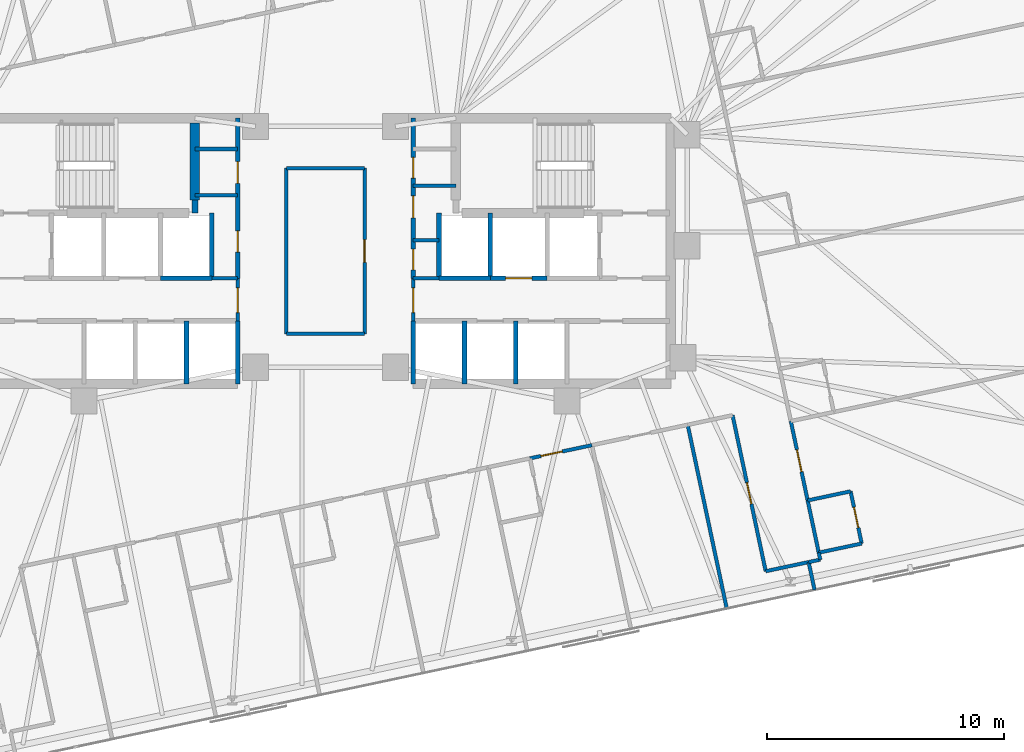
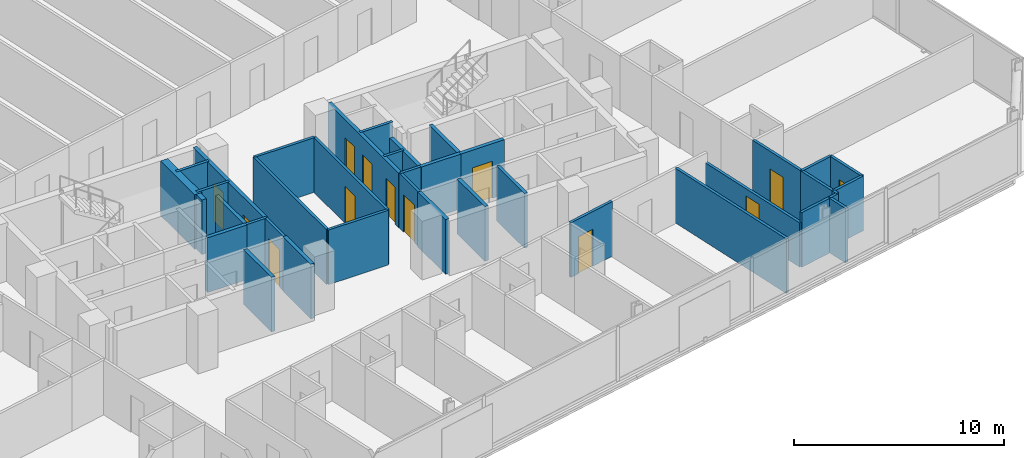
# One storey, part 16 of 21: 39 walls, 13 doors, 13 openings.
"""IFC4 building model written with IfcOpenShell, lengths in metres."""

from ifc_helpers import new_model, si_unit, direction, frame, frame_2d, origin, place, context, subcontext, project, spatial, rectangle, extrude, material, layer, layer_set, type_object, element, fill, save


model = new_model("IFC4")

# Units and contexts
model_context = context("Model", 3, precision=1e-05, world=origin(), true_north=direction((0.0, 1.0)))
body_context = subcontext(model_context, "Body", "Model", "MODEL_VIEW")
ifc_project = project(units=[si_unit("LENGTHUNIT", "METRE"), si_unit("AREAUNIT", "SQUARE_METRE"), si_unit("VOLUMEUNIT", "CUBIC_METRE"), si_unit("PLANEANGLEUNIT", "RADIAN"), si_unit("MASSUNIT", "GRAM", prefix="KILO")], contexts=[model_context])

# Site, building, storey
site_placement = place(None, origin())
site = spatial("IfcSite", under=ifc_project, at=site_placement, CompositionType="ELEMENT")
building_placement = place(site_placement, origin())
building = spatial("IfcBuilding", under=site, at=building_placement, Name="Menara Jurai Vektor", CompositionType="ELEMENT")
storey_placement = place(building_placement, frame((0.0, 0.0, 188.800048828125)))
storey = spatial("IfcBuildingStorey", under=building, at=storey_placement, Name="L49", CompositionType="ELEMENT", Elevation=188.800048828125)

# Wall
ifc_material_1 = material(Name="Concrete C40/50", Category="concrete")
ifc_layer_1 = layer(ifc_material_1, 0.25)
ifc_layer_set_1 = layer_set([ifc_layer_1], Name="Concrete C40/50")
wall_type_1 = type_object("IfcWallType", Name="INT-WALL-CORE-250", PredefinedType="STANDARD", material=ifc_layer_set_1)
wall_1_placement = place(storey_placement, frame((-5.5, 1.60009765625, 0.0), z_axis=(0.0, 0.0, 1.0), x_axis=(0.0, 1.0, 0.0)))
element("IfcWall", 1, at=wall_1_placement, inside=storey, type_object=wall_type_1, Name="Interior Wall IW-250 L49", PredefinedType="STANDARD", context=body_context, shape_type="SweptSolid", body=[
    extrude(rectangle(XDim=0.5498046875, YDim=0.25, at=frame_2d((0.27490234375, 0.0))), origin(), (0.0, 0.0, 1.0), 3.175048828125),
])

# Wall, opening, door
ifc_material_2 = material(Name="Gypsum Fireboard Partition", Category="gypsum")
ifc_layer_2 = layer(ifc_material_2, 0.14990234375)
ifc_layer_set_2 = layer_set([ifc_layer_2], Name="Gypsum Fireboard Partition")
wall_type_2 = type_object("IfcWallType", Name="INT-WALL-CORR-150", PredefinedType="PARTITIONING", material=ifc_layer_set_2)
wall_2_placement = place(storey_placement, frame((-3.699951171875, -2.949951171875, 0.0), z_axis=(0.0, 0.0, 1.0), x_axis=(0.0, 1.0, 0.0)))
wall_2 = element("IfcWall", 2, at=wall_2_placement, inside=storey, type_object=wall_type_2, Name="Interior Wall IW-150 L49", PredefinedType="PARTITIONING", context=body_context, shape_type="SweptSolid", body=[
    extrude(rectangle(XDim=1.800048828125, YDim=0.14990234375, at=frame_2d((0.89990234375, 0.0))), origin(), (0.0, 0.0, 1.0), 3.175048828125),
])
opening_1_placement = place(wall_2_placement, frame((0.35009765625, 0.0, 0.0)))
opening_1 = element("IfcOpeningElement", 3, at=opening_1_placement, cuts=wall_2, Name="Opening D-L49-LLW", PredefinedType="OPENING", context=body_context, shape_type="SweptSolid", body=[
    extrude(rectangle(XDim=1.050048828125, YDim=2.179931640625, at=frame_2d((0.52490234375, 1.08984375))), frame((0.0, 0.0849609375, 0.0), z_axis=(0.0, -1.0, 0.0), x_axis=(1.0, 0.0, 0.0)), (0.0, 0.0, 1.0), 0.169921875),
])
ifc_material_3 = material(Name="Fire-Rated Timber Door", Category="wood")
door_type_1 = type_object("IfcDoorType", Name="DR-LOBBY-1050", OperationType="NOTDEFINED", PredefinedType="DOOR", material=ifc_material_3)
door_1_placement = place(opening_1_placement, origin())
door_1 = element("IfcDoor", 4, at=door_1_placement, inside=storey, type_object=door_type_1, Name="Lift Lobby Corridor Door W L49", OperationType="SINGLE_SWING_LEFT", OverallHeight=2.179931640625, OverallWidth=1.050048828125, PredefinedType="DOOR", context=body_context, shape_type="SweptSolid", body=[
    extrude(rectangle(XDim=1.050048828125, YDim=2.179931640625, at=frame_2d((0.52490234375, 1.08984375))), frame((0.0, 0.02490234375, 0.0), z_axis=(0.0, -1.0, 0.0), x_axis=(1.0, 0.0, 0.0)), (0.0, 0.0, 1.0), 0.050048828125),
])
fill(opening_1, door_1)

# Wall
wall_3_placement = place(storey_placement, frame((-4.7900390625, -1.14990234375, 0.0), z_axis=(0.0, 0.0, 1.0), x_axis=(1.0, 0.0, 0.0)))
element("IfcWall", 5, at=wall_3_placement, inside=storey, type_object=wall_type_2, Name="Interior Wall IW-150 L49", PredefinedType="PARTITIONING", context=body_context, shape_type="SweptSolid", body=[
    extrude(rectangle(XDim=1.090087890625, YDim=0.14990234375, at=frame_2d((0.544921875, 0.0))), origin(), (0.0, 0.0, 1.0), 3.175048828125),
])

# Wall, opening, door
wall_4_placement = place(storey_placement, frame((3.699951171875, -2.949951171875, 0.0), z_axis=(0.0, 0.0, 1.0), x_axis=(0.0, 1.0, 0.0)))
wall_4 = element("IfcWall", 6, at=wall_4_placement, inside=storey, type_object=wall_type_2, Name="Interior Wall IW-150 L49", PredefinedType="PARTITIONING", context=body_context, shape_type="SweptSolid", body=[
    extrude(rectangle(XDim=1.800048828125, YDim=0.14990234375, at=frame_2d((0.89990234375, 0.0))), origin(), (0.0, 0.0, 1.0), 3.175048828125),
])
opening_2_placement = place(wall_4_placement, frame((0.35009765625, 0.0, 0.0)))
opening_2 = element("IfcOpeningElement", 7, at=opening_2_placement, cuts=wall_4, Name="Opening D-L49-LLE", PredefinedType="OPENING", context=body_context, shape_type="SweptSolid", body=[
    extrude(rectangle(XDim=1.050048828125, YDim=2.179931640625, at=frame_2d((0.52490234375, 1.08984375))), frame((0.0, 0.0849609375, 0.0), z_axis=(0.0, -1.0, 0.0), x_axis=(1.0, 0.0, 0.0)), (0.0, 0.0, 1.0), 0.169921875),
])
door_2_placement = place(opening_2_placement, frame((1.050048828125, 0.0, 0.0), z_axis=(0.0, 0.0, 1.0), x_axis=(-1.0, 0.0, 0.0)))
door_2 = element("IfcDoor", 8, at=door_2_placement, inside=storey, type_object=door_type_1, Name="Lift Lobby Corridor Door E L49", OperationType="SINGLE_SWING_RIGHT", OverallHeight=2.179931640625, OverallWidth=1.050048828125, PredefinedType="DOOR", context=body_context, shape_type="SweptSolid", body=[
    extrude(rectangle(XDim=1.050048828125, YDim=2.179931640625, at=frame_2d((0.52490234375, 1.08984375))), frame((0.0, 0.02490234375, 0.0), z_axis=(0.0, -1.0, 0.0), x_axis=(1.0, 0.0, 0.0)), (0.0, 0.0, 1.0), 0.050048828125),
])
fill(opening_2, door_2)

# Walls
wall_5_placement = place(storey_placement, frame((3.699951171875, -1.14990234375, 0.0), z_axis=(0.0, 0.0, 1.0), x_axis=(1.0, 0.0, 0.0)))
element("IfcWall", 9, at=wall_5_placement, inside=storey, type_object=wall_type_2, Name="Interior Wall IW-150 L49", PredefinedType="PARTITIONING", context=body_context, shape_type="SweptSolid", body=[
    extrude(rectangle(XDim=1.090087890625, YDim=0.14990234375, at=frame_2d((0.544921875, 0.0))), origin(), (0.0, 0.0, 1.0), 3.175048828125),
])
for number, where, z_axis, x_axis, name in (
    (10, (-5.5, 4.300048828125, 0.0), (0.0, 0.0, 1.0), (1.0, 0.0, 0.0), "Interior Wall IW-150 L49"),
    (11, (-5.5, 2.35009765625, 0.0), (0.0, 0.0, 1.0), (1.0, 0.0, 0.0), "Interior Wall IW-150 L49"),
):
    element("IfcWall", number, at=place(storey_placement, frame(where, z_axis=z_axis, x_axis=x_axis)), inside=storey, type_object=wall_type_2, Name=name, PredefinedType="PARTITIONING", context=body_context, shape_type="SweptSolid", body=[
        extrude(rectangle(XDim=1.800048828125, YDim=0.14990234375, at=frame_2d((0.89990234375, 0.0))), origin(), (0.0, 0.0, 1.0), 3.175048828125),
    ])
wall_6_placement = place(storey_placement, frame((3.699951171875, 0.449951171875, 0.0), z_axis=(0.0, 0.0, 1.0), x_axis=(1.0, 0.0, 0.0)))
element("IfcWall", 12, at=wall_6_placement, inside=storey, type_object=wall_type_2, Name="Interior Wall IW-150 L49", PredefinedType="PARTITIONING", context=body_context, shape_type="SweptSolid", body=[
    extrude(rectangle(XDim=1.090087890625, YDim=0.14990234375, at=frame_2d((0.544921875, 0.0))), origin(), (0.0, 0.0, 1.0), 3.175048828125),
])
wall_7_placement = place(storey_placement, frame((3.699951171875, 2.75, 0.0), z_axis=(0.0, 0.0, 1.0), x_axis=(1.0, 0.0, 0.0)))
element("IfcWall", 13, at=wall_7_placement, inside=storey, type_object=wall_type_2, Name="Interior Wall IW-150 L49", PredefinedType="PARTITIONING", context=body_context, shape_type="SweptSolid", body=[
    extrude(rectangle(XDim=1.800048828125, YDim=0.14990234375, at=frame_2d((0.89990234375, 0.0))), origin(), (0.0, 0.0, 1.0), 3.175048828125),
])
wall_8_placement = place(storey_placement, frame((-1.64990234375, -3.489501953125, 0.0), z_axis=(0.0, 0.0, 1.0), x_axis=(-3.4979712e-05, 0.999999999388, 0.0)))
element("IfcWall", 14, at=wall_8_placement, inside=storey, type_object=wall_type_2, Name="Interior Wall IW-150 L49", PredefinedType="PARTITIONING", context=body_context, shape_type="SweptSolid", body=[
    extrude(rectangle(XDim=6.9794921875, YDim=0.14990234375, at=frame_2d((3.48974609375, 0.0))), origin(), (0.0, 0.0, 1.0), 3.175048828125),
])
wall_9_placement = place(storey_placement, frame((-1.64990234375, -3.489501953125, 0.0), z_axis=(0.0, 0.0, 1.0), x_axis=(0.999999975374, -0.000221926315, 0.0)))
element("IfcWall", 15, at=wall_9_placement, inside=storey, type_object=wall_type_2, Name="Interior Wall IW-150 L49", PredefinedType="PARTITIONING", context=body_context, shape_type="SweptSolid", body=[
    extrude(rectangle(XDim=3.30029296875, YDim=0.14990234375, at=frame_2d((1.650146484375, 0.0))), origin(), (0.0, 0.0, 1.0), 3.175048828125),
])
wall_10_placement = place(storey_placement, frame((-1.650146484375, 3.489990234375, 0.0), z_axis=(0.0, 0.0, 1.0), x_axis=(1.0, 0.0, 0.0)))
element("IfcWall", 16, at=wall_10_placement, inside=storey, type_object=wall_type_2, Name="Interior Wall IW-150 L49", PredefinedType="PARTITIONING", context=body_context, shape_type="SweptSolid", body=[
    extrude(rectangle(XDim=3.300048828125, YDim=0.14990234375, at=frame_2d((1.64990234375, 0.0))), origin(), (0.0, 0.0, 1.0), 3.175048828125),
])

# Wall, opening, door
wall_11_placement = place(storey_placement, frame((1.650390625, -3.490234375, 0.0), z_axis=(0.0, 0.0, 1.0), x_axis=(-6.9952083e-05, 0.999999997553, 0.0)))
wall_11 = element("IfcWall", 17, at=wall_11_placement, inside=storey, type_object=wall_type_2, Name="Interior Wall IW-150 L49", PredefinedType="PARTITIONING", context=body_context, shape_type="SweptSolid", body=[
    extrude(rectangle(XDim=6.980224609375, YDim=0.14990234375, at=frame_2d((3.490234375, 0.0))), origin(), (0.0, 0.0, 1.0), 3.175048828125),
])
opening_3_placement = place(wall_11_placement, frame((3.01513671875, 0.0, 0.0)))
opening_3 = element("IfcOpeningElement", 18, at=opening_3_placement, cuts=wall_11, Name="Opening D49-08", PredefinedType="OPENING", context=body_context, shape_type="SweptSolid", body=[
    extrude(rectangle(XDim=0.949951171875, YDim=2.14990234375, at=frame_2d((0.47509765625, 1.074951171875))), frame((0.0, 0.0849609375, 0.0), z_axis=(0.0, -1.0, 0.0), x_axis=(1.0, 0.0, 0.0)), (0.0, 0.0, 1.0), 0.169921875),
])
ifc_material_4 = material(Name="Solid Core Timber Fire Door", Category="wood")
door_type_2 = type_object("IfcDoorType", Name="DR-ENTRY-950", OperationType="NOTDEFINED", PredefinedType="DOOR", material=ifc_material_4)
door_3_placement = place(opening_3_placement, origin())
door_3 = element("IfcDoor", 19, at=door_3_placement, inside=storey, type_object=door_type_2, Name="Interior Door D49-08", OperationType="SINGLE_SWING_LEFT", OverallHeight=2.14990234375, OverallWidth=0.949951171875, PredefinedType="DOOR", context=body_context, shape_type="SweptSolid", body=[
    extrude(rectangle(XDim=0.949951171875, YDim=2.14990234375, at=frame_2d((0.47509765625, 1.074951171875))), frame((0.0, 0.02490234375, 0.0), z_axis=(0.0, -1.0, 0.0), x_axis=(1.0, 0.0, 0.0)), (0.0, 0.0, 1.0), 0.050048828125),
])
fill(opening_3, door_3)

wall_12_placement = place(storey_placement, frame((8.621337890625, -8.74072265625, 0.0), z_axis=(0.0, 0.0, 1.0), x_axis=(0.978139565144, 0.207949491702, 0.0)))
wall_12 = element("IfcWall", 20, at=wall_12_placement, inside=storey, type_object=wall_type_2, Name="Interior Wall IW-150 L49", PredefinedType="PARTITIONING", context=body_context, shape_type="SweptSolid", body=[
    extrude(rectangle(XDim=2.6708984375, YDim=0.14990234375, at=frame_2d((1.33544921875, 0.0))), origin(), (0.0, 0.0, 1.0), 3.175048828125),
])
opening_4_placement = place(wall_12_placement, frame((0.474853515625, 0.0, 0.0)))
opening_4 = element("IfcOpeningElement", 21, at=opening_4_placement, cuts=wall_12, Name="Opening D49-28", PredefinedType="OPENING", context=body_context, shape_type="SweptSolid", body=[
    extrude(rectangle(XDim=0.919921875, YDim=2.14990234375, at=frame_2d((0.4599609375, 1.074951171875))), frame((0.0, 0.0849609375, 0.0), z_axis=(0.0, -1.0, 0.0), x_axis=(1.0, 0.0, 0.0)), (0.0, 0.0, 1.0), 0.169921875),
])
door_4_placement = place(opening_4_placement, origin())
door_4 = element("IfcDoor", 22, at=door_4_placement, inside=storey, type_object=door_type_2, Name="Interior Door D49-28", OperationType="SINGLE_SWING_LEFT", OverallHeight=2.14990234375, OverallWidth=0.919921875, PredefinedType="DOOR", context=body_context, shape_type="SweptSolid", body=[
    extrude(rectangle(XDim=0.919921875, YDim=2.14990234375, at=frame_2d((0.4599609375, 1.074951171875))), frame((0.0, 0.02490234375, 0.0), z_axis=(0.0, -1.0, 0.0), x_axis=(1.0, 0.0, 0.0)), (0.0, 0.0, 1.0), 0.050048828125),
])
fill(opening_4, door_4)

# Walls
wall_13_placement = place(storey_placement, frame((18.5595703125, -13.498291015625, 0.0), z_axis=(0.0, 0.0, 1.0), x_axis=(0.978160192495, 0.207852442415, 0.0)))
element("IfcWall", 23, at=wall_13_placement, inside=storey, type_object=wall_type_2, Name="Interior Wall IW-150 L49", PredefinedType="PARTITIONING", context=body_context, shape_type="SweptSolid", body=[
    extrude(rectangle(XDim=1.849853515625, YDim=0.14990234375, at=frame_2d((0.9248046875, 0.0))), origin(), (0.0, 0.0, 1.0), 3.175048828125),
])
wall_14_placement = place(storey_placement, frame((20.369140625, -13.11376953125, 0.0), z_axis=(0.0, 0.0, 1.0), x_axis=(0.978143962546, 0.207928806409, 0.0)))
element("IfcWall", 24, at=wall_14_placement, inside=storey, type_object=wall_type_2, Name="Interior Wall IW-150 L49", PredefinedType="PARTITIONING", context=body_context, shape_type="SweptSolid", body=[
    extrude(rectangle(XDim=0.500244140625, YDim=0.14990234375, at=frame_2d((0.25, 0.0))), origin(), (0.0, 0.0, 1.0), 3.175048828125),
])
wall_15_placement = place(storey_placement, frame((20.8583984375, -13.009765625, 0.0), z_axis=(0.0, 0.0, 1.0), x_axis=(-0.208306395052, 0.978063620518, 0.0)))
element("IfcWall", 25, at=wall_15_placement, inside=storey, type_object=wall_type_2, Name="Interior Wall IW-150 L49", PredefinedType="PARTITIONING", context=body_context, shape_type="SweptSolid", body=[
    extrude(rectangle(XDim=0.300048828125, YDim=0.14990234375, at=frame_2d((0.14990234375, 0.0))), origin(), (0.0, 0.0, 1.0), 3.175048828125),
])

# Wall, opening, door
wall_16_placement = place(storey_placement, frame((20.328125, -10.515380859375, 0.0), z_axis=(0.0, 0.0, 1.0), x_axis=(-0.207918572776, 0.978146137903, 0.0)))
wall_16 = element("IfcWall", 26, at=wall_16_placement, inside=storey, type_object=wall_type_2, Name="Interior Wall IW-150 L49", PredefinedType="PARTITIONING", context=body_context, shape_type="SweptSolid", body=[
    extrude(rectangle(XDim=3.4169921875, YDim=0.14990234375, at=frame_2d((1.70849609375, 0.0))), origin(), (0.0, 0.0, 1.0), 3.175048828125),
])
opening_5_placement = place(wall_16_placement, frame((1.2333984375, 0.0, 0.0)))
opening_5 = element("IfcOpeningElement", 27, at=opening_5_placement, cuts=wall_16, Name="Opening D49-44", PredefinedType="OPENING", context=body_context, shape_type="SweptSolid", body=[
    extrude(rectangle(XDim=0.949951171875, YDim=2.14990234375, at=frame_2d((0.47509765625, 1.074951171875))), frame((0.0, 0.0849609375, 0.0), z_axis=(0.0, -1.0, 0.0), x_axis=(1.0, 0.0, 0.0)), (0.0, 0.0, 1.0), 0.169921875),
])
door_5_placement = place(opening_5_placement, origin())
door_5 = element("IfcDoor", 28, at=door_5_placement, inside=storey, type_object=door_type_2, Name="Interior Door D49-44", OperationType="SINGLE_SWING_LEFT", OverallHeight=2.14990234375, OverallWidth=0.949951171875, PredefinedType="DOOR", context=body_context, shape_type="SweptSolid", body=[
    extrude(rectangle(XDim=0.949951171875, YDim=2.14990234375, at=frame_2d((0.47509765625, 1.074951171875))), frame((0.0, 0.02490234375, 0.0), z_axis=(0.0, -1.0, 0.0), x_axis=(1.0, 0.0, 0.0)), (0.0, 0.0, 1.0), 0.050048828125),
])
fill(opening_5, door_5)

# Walls
wall_17_placement = place(storey_placement, frame((20.7958984375, -12.71630859375, 0.0), z_axis=(0.0, 0.0, 1.0), x_axis=(-0.207891197838, 0.978151956427, 0.0)))
element("IfcWall", 29, at=wall_17_placement, inside=storey, type_object=wall_type_2, Name="Interior Wall IW-150 L49", PredefinedType="PARTITIONING", context=body_context, shape_type="SweptSolid", body=[
    extrude(rectangle(XDim=2.25, YDim=0.14990234375, at=frame_2d((1.125, 0.0))), origin(), (0.0, 0.0, 1.0), 3.175048828125),
])
wall_18_placement = place(storey_placement, frame((16.91748046875, -15.07421875, 0.0), z_axis=(0.0, 0.0, 1.0), x_axis=(-0.207922536845, 0.978145295277, 0.0)))
element("IfcWall", 30, at=wall_18_placement, inside=storey, type_object=wall_type_2, Name="Interior Wall IW-150 L49", PredefinedType="PARTITIONING", context=body_context, shape_type="SweptSolid", body=[
    extrude(rectangle(XDim=7.919921875, YDim=0.14990234375, at=frame_2d((3.9599609375, 0.0))), origin(), (0.0, 0.0, 1.0), 3.175048828125),
])
wall_19_placement = place(storey_placement, frame((20.61865234375, -14.28759765625, 0.0), z_axis=(0.0, 0.0, 1.0), x_axis=(-0.207917150959, 0.978146440129, 0.0)))
element("IfcWall", 31, at=wall_19_placement, inside=storey, type_object=wall_type_2, Name="Interior Wall IW-150 L49", PredefinedType="PARTITIONING", context=body_context, shape_type="SweptSolid", body=[
    extrude(rectangle(XDim=1.199951171875, YDim=0.14990234375, at=frame_2d((0.60009765625, 0.0))), origin(), (0.0, 0.0, 1.0), 3.175048828125),
])
for number, where, z_axis, x_axis, name in (
    (32, (20.7958984375, -12.71630859375, 0.0), (0.0, 0.0, 1.0), (0.978160192495, 0.207852442415, 0.0), "Interior Wall IW-150 L49"),
    (33, (20.328125, -10.515380859375, 0.0), (0.0, 0.0, 1.0), (0.978160192495, 0.207852442415, 0.0), "Interior Wall IW-150 L49"),
):
    element("IfcWall", number, at=place(storey_placement, frame(where, z_axis=z_axis, x_axis=x_axis)), inside=storey, type_object=wall_type_2, Name=name, PredefinedType="PARTITIONING", context=body_context, shape_type="SweptSolid", body=[
        extrude(rectangle(XDim=1.849853515625, YDim=0.14990234375, at=frame_2d((0.9248046875, 0.0))), origin(), (0.0, 0.0, 1.0), 3.175048828125),
    ])

# Wall, opening, door
wall_20_placement = place(storey_placement, frame((22.60546875, -12.331787109375, 0.0), z_axis=(0.0, 0.0, 1.0), x_axis=(-0.207891197838, 0.978151956427, 0.0)))
wall_20 = element("IfcWall", 34, at=wall_20_placement, inside=storey, type_object=wall_type_2, Name="Interior Wall IW-150 L49", PredefinedType="PARTITIONING", context=body_context, shape_type="SweptSolid", body=[
    extrude(rectangle(XDim=2.25, YDim=0.14990234375, at=frame_2d((1.125, 0.0))), origin(), (0.0, 0.0, 1.0), 3.175048828125),
])
opening_6_placement = place(wall_20_placement, frame((0.68505859375, 0.0, 0.0)))
opening_6 = element("IfcOpeningElement", 35, at=opening_6_placement, cuts=wall_20, Name="Opening D49-45", PredefinedType="OPENING", context=body_context, shape_type="SweptSolid", body=[
    extrude(rectangle(XDim=0.8798828125, YDim=2.14990234375, at=frame_2d((0.43994140625, 1.074951171875))), frame((0.0, 0.0849609375, 0.0), z_axis=(0.0, -1.0, 0.0), x_axis=(1.0, 0.0, 0.0)), (0.0, 0.0, 1.0), 0.169921875),
])
ifc_material_5 = material(Name="Moisture-Resistant Timber Door", Category="wood")
door_type_3 = type_object("IfcDoorType", Name="DR-BATH-880", OperationType="NOTDEFINED", PredefinedType="DOOR", material=ifc_material_5)
door_6_placement = place(opening_6_placement, origin())
door_6 = element("IfcDoor", 36, at=door_6_placement, inside=storey, type_object=door_type_3, Name="Interior Door D49-45", OperationType="SINGLE_SWING_RIGHT", OverallHeight=2.14990234375, OverallWidth=0.8798828125, PredefinedType="DOOR", context=body_context, shape_type="SweptSolid", body=[
    extrude(rectangle(XDim=0.8798828125, YDim=2.14990234375, at=frame_2d((0.43994140625, 1.074951171875))), frame((0.0, 0.02490234375, 0.0), z_axis=(0.0, -1.0, 0.0), x_axis=(1.0, 0.0, 0.0)), (0.0, 0.0, 1.0), 0.050048828125),
])
fill(opening_6, door_6)

ifc_layer_3 = layer(ifc_material_2, 0.14990234375)
ifc_layer_set_3 = layer_set([ifc_layer_3], Name="Gypsum Fireboard Partition")
wall_type_3 = type_object("IfcWallType", Name="INT-WALL-CORR-150-H2", PredefinedType="PARTITIONING", material=ifc_layer_set_3)
wall_21_placement = place(storey_placement, frame((18.5595703125, -13.498291015625, 0.0), z_axis=(0.0, 0.0, 1.0), x_axis=(-0.207888737749, 0.978152479278, 0.0)))
wall_21 = element("IfcWall", 37, at=wall_21_placement, inside=storey, type_object=wall_type_3, Name="Interior Wall IW-150 L49", PredefinedType="PARTITIONING", context=body_context, shape_type="SweptSolid", body=[
    extrude(rectangle(XDim=6.7197265625, YDim=0.14990234375, at=frame_2d((3.35986328125, 0.0))), origin(), (0.0, 0.0, 1.0), 2.574951171875),
])
opening_7_placement = place(wall_21_placement, frame((2.89990234375, 0.0, 0.0)))
opening_7 = element("IfcOpeningElement", 38, at=opening_7_placement, cuts=wall_21, Name="Opening D49-31", PredefinedType="OPENING", context=body_context, shape_type="SweptSolid", body=[
    extrude(rectangle(XDim=0.919921875, YDim=2.14990234375, at=frame_2d((0.4599609375, 1.074951171875))), frame((0.0, 0.0849609375, 0.0), z_axis=(0.0, -1.0, 0.0), x_axis=(1.0, 0.0, 0.0)), (0.0, 0.0, 1.0), 0.169921875),
])
door_7_placement = place(opening_7_placement, origin())
door_7 = element("IfcDoor", 39, at=door_7_placement, inside=storey, type_object=door_type_2, Name="Interior Door D49-31", OperationType="SINGLE_SWING_RIGHT", OverallHeight=2.14990234375, OverallWidth=0.919921875, PredefinedType="DOOR", context=body_context, shape_type="SweptSolid", body=[
    extrude(rectangle(XDim=0.919921875, YDim=2.14990234375, at=frame_2d((0.4599609375, 1.074951171875))), frame((0.0, 0.02490234375, 0.0), z_axis=(0.0, -1.0, 0.0), x_axis=(1.0, 0.0, 0.0)), (0.0, 0.0, 1.0), 0.050048828125),
])
fill(opening_7, door_7)

# Wall, openings, doors
ifc_layer_4 = layer(ifc_material_1, 0.199951171875)
ifc_layer_set_4 = layer_set([ifc_layer_4], Name="Concrete C40/50")
wall_type_4 = type_object("IfcWallType", Name="INT-WALL-SHAFT-200", PredefinedType="STANDARD", material=ifc_layer_set_4)
wall_22_placement = place(storey_placement, frame((-3.699951171875, -1.14990234375, 0.0), z_axis=(0.0, 0.0, 1.0), x_axis=(0.0, 1.0, 0.0)))
wall_22 = element("IfcWall", 40, at=wall_22_placement, inside=storey, type_object=wall_type_4, Name="Interior Wall IW-200 L49", PredefinedType="STANDARD", context=body_context, shape_type="SweptSolid", body=[
    extrude(rectangle(XDim=6.75, YDim=0.199951171875, at=frame_2d((3.375, 0.0))), origin(), (0.0, 0.0, 1.0), 3.175048828125),
])
opening_8_placement = place(wall_22_placement, frame((1.10009765625, 0.0, 0.0)))
opening_8 = element("IfcOpeningElement", 41, at=opening_8_placement, cuts=wall_22, Name="Opening D49-02", PredefinedType="OPENING", context=body_context, shape_type="SweptSolid", body=[
    extrude(rectangle(XDim=0.89990234375, YDim=2.14990234375, at=frame_2d((0.449951171875, 1.074951171875))), frame((0.0, 0.10986328125, 0.0), z_axis=(0.0, -1.0, 0.0), x_axis=(1.0, 0.0, 0.0)), (0.0, 0.0, 1.0), 0.219970703125),
])
opening_9_placement = place(wall_22_placement, frame((4.0, 0.0, 0.0)))
opening_9 = element("IfcOpeningElement", 42, at=opening_9_placement, cuts=wall_22, Name="Opening D49-03", PredefinedType="OPENING", context=body_context, shape_type="SweptSolid", body=[
    extrude(rectangle(XDim=0.919921875, YDim=2.14990234375, at=frame_2d((0.4599609375, 1.074951171875))), frame((0.0, 0.10986328125, 0.0), z_axis=(0.0, -1.0, 0.0), x_axis=(1.0, 0.0, 0.0)), (0.0, 0.0, 1.0), 0.219970703125),
])
door_8_placement = place(opening_8_placement, origin())
door_8 = element("IfcDoor", 43, at=door_8_placement, inside=storey, type_object=door_type_2, Name="Interior Door D49-02", OperationType="SINGLE_SWING_LEFT", OverallHeight=2.14990234375, OverallWidth=0.89990234375, PredefinedType="DOOR", context=body_context, shape_type="SweptSolid", body=[
    extrude(rectangle(XDim=0.89990234375, YDim=2.14990234375, at=frame_2d((0.449951171875, 1.074951171875))), frame((0.0, 0.02490234375, 0.0), z_axis=(0.0, -1.0, 0.0), x_axis=(1.0, 0.0, 0.0)), (0.0, 0.0, 1.0), 0.050048828125),
])
fill(opening_8, door_8)
door_9_placement = place(opening_9_placement, origin())
door_9 = element("IfcDoor", 44, at=door_9_placement, inside=storey, type_object=door_type_2, Name="Interior Door D49-03", OperationType="SINGLE_SWING_LEFT", OverallHeight=2.14990234375, OverallWidth=0.919921875, PredefinedType="DOOR", context=body_context, shape_type="SweptSolid", body=[
    extrude(rectangle(XDim=0.919921875, YDim=2.14990234375, at=frame_2d((0.4599609375, 1.074951171875))), frame((0.0, 0.02490234375, 0.0), z_axis=(0.0, -1.0, 0.0), x_axis=(1.0, 0.0, 0.0)), (0.0, 0.0, 1.0), 0.050048828125),
])
fill(opening_9, door_9)

# Walls
wall_23_placement = place(storey_placement, frame((-3.699951171875, -5.60009765625, 0.0), z_axis=(0.0, 0.0, 1.0), x_axis=(0.0, 1.0, 0.0)))
element("IfcWall", 45, at=wall_23_placement, inside=storey, type_object=wall_type_4, Name="Interior Wall IW-200 L49", PredefinedType="STANDARD", context=body_context, shape_type="SweptSolid", body=[
    extrude(rectangle(XDim=2.650146484375, YDim=0.199951171875, at=frame_2d((1.3251953125, 0.0))), origin(), (0.0, 0.0, 1.0), 3.175048828125),
])
wall_24_placement = place(storey_placement, frame((-4.7900390625, -1.14990234375, 0.0), z_axis=(0.0, 0.0, 1.0), x_axis=(0.0, 1.0, 0.0)))
element("IfcWall", 46, at=wall_24_placement, inside=storey, type_object=wall_type_4, Name="Interior Wall IW-200 L49", PredefinedType="STANDARD", context=body_context, shape_type="SweptSolid", body=[
    extrude(rectangle(XDim=2.75, YDim=0.199951171875, at=frame_2d((1.375, 0.0))), origin(), (0.0, 0.0, 1.0), 3.175048828125),
])
wall_25_placement = place(storey_placement, frame((-6.949951171875, -1.14990234375, 0.0), z_axis=(0.0, 0.0, 1.0), x_axis=(1.0, 0.0, 0.0)))
element("IfcWall", 47, at=wall_25_placement, inside=storey, type_object=wall_type_4, Name="Interior Wall IW-200 L49", PredefinedType="STANDARD", context=body_context, shape_type="SweptSolid", body=[
    extrude(rectangle(XDim=2.159912109375, YDim=0.199951171875, at=frame_2d((1.080078125, 0.0))), origin(), (0.0, 0.0, 1.0), 3.175048828125),
])
wall_26_placement = place(storey_placement, frame((-5.860107421875, -5.60009765625, 0.0), z_axis=(0.0, 0.0, 1.0), x_axis=(0.0, 1.0, 0.0)))
element("IfcWall", 48, at=wall_26_placement, inside=storey, type_object=wall_type_4, Name="Interior Wall IW-200 L49", PredefinedType="STANDARD", context=body_context, shape_type="SweptSolid", body=[
    extrude(rectangle(XDim=2.650146484375, YDim=0.199951171875, at=frame_2d((1.3251953125, 0.0))), origin(), (0.0, 0.0, 1.0), 3.175048828125),
])

# Wall, openings, doors
wall_27_placement = place(storey_placement, frame((3.699951171875, -1.14990234375, 0.0), z_axis=(0.0, 0.0, 1.0), x_axis=(0.0, 1.0, 0.0)))
wall_27 = element("IfcWall", 49, at=wall_27_placement, inside=storey, type_object=wall_type_4, Name="Interior Wall IW-200 L49", PredefinedType="STANDARD", context=body_context, shape_type="SweptSolid", body=[
    extrude(rectangle(XDim=6.75, YDim=0.199951171875, at=frame_2d((3.375, 0.0))), origin(), (0.0, 0.0, 1.0), 3.175048828125),
])
opening_10_placement = place(wall_27_placement, frame((0.35009765625, 0.0, 0.0)))
opening_10 = element("IfcOpeningElement", 50, at=opening_10_placement, cuts=wall_27, Name="Opening D49-05", PredefinedType="OPENING", context=body_context, shape_type="SweptSolid", body=[
    extrude(rectangle(XDim=0.8798828125, YDim=2.14990234375, at=frame_2d((0.43994140625, 1.074951171875))), frame((0.0, 0.10986328125, 0.0), z_axis=(0.0, -1.0, 0.0), x_axis=(1.0, 0.0, 0.0)), (0.0, 0.0, 1.0), 0.219970703125),
])
opening_11_placement = place(wall_27_placement, frame((2.550048828125, 0.0, 0.0)))
opening_11 = element("IfcOpeningElement", 51, at=opening_11_placement, cuts=wall_27, Name="Opening D49-06", PredefinedType="OPENING", context=body_context, shape_type="SweptSolid", body=[
    extrude(rectangle(XDim=0.919921875, YDim=2.14990234375, at=frame_2d((0.4599609375, 1.074951171875))), frame((0.0, 0.10986328125, 0.0), z_axis=(0.0, -1.0, 0.0), x_axis=(1.0, 0.0, 0.0)), (0.0, 0.0, 1.0), 0.219970703125),
])
opening_12_placement = place(wall_27_placement, frame((4.219970703125, 0.0, 0.0)))
opening_12 = element("IfcOpeningElement", 52, at=opening_12_placement, cuts=wall_27, Name="Opening D49-07", PredefinedType="OPENING", context=body_context, shape_type="SweptSolid", body=[
    extrude(rectangle(XDim=0.8798828125, YDim=2.14990234375, at=frame_2d((0.43994140625, 1.074951171875))), frame((0.0, 0.10986328125, 0.0), z_axis=(0.0, -1.0, 0.0), x_axis=(1.0, 0.0, 0.0)), (0.0, 0.0, 1.0), 0.219970703125),
])
door_10_placement = place(opening_10_placement, origin())
door_10 = element("IfcDoor", 53, at=door_10_placement, inside=storey, type_object=door_type_2, Name="Interior Door D49-05", OperationType="SINGLE_SWING_RIGHT", OverallHeight=2.14990234375, OverallWidth=0.8798828125, PredefinedType="DOOR", context=body_context, shape_type="SweptSolid", body=[
    extrude(rectangle(XDim=0.8798828125, YDim=2.14990234375, at=frame_2d((0.43994140625, 1.074951171875))), frame((0.0, 0.02490234375, 0.0), z_axis=(0.0, -1.0, 0.0), x_axis=(1.0, 0.0, 0.0)), (0.0, 0.0, 1.0), 0.050048828125),
])
fill(opening_10, door_10)
door_11_placement = place(opening_11_placement, origin())
door_11 = element("IfcDoor", 54, at=door_11_placement, inside=storey, type_object=door_type_2, Name="Interior Door D49-06", OperationType="SINGLE_SWING_RIGHT", OverallHeight=2.14990234375, OverallWidth=0.919921875, PredefinedType="DOOR", context=body_context, shape_type="SweptSolid", body=[
    extrude(rectangle(XDim=0.919921875, YDim=2.14990234375, at=frame_2d((0.4599609375, 1.074951171875))), frame((0.0, 0.02490234375, 0.0), z_axis=(0.0, -1.0, 0.0), x_axis=(1.0, 0.0, 0.0)), (0.0, 0.0, 1.0), 0.050048828125),
])
fill(opening_11, door_11)
door_12_placement = place(opening_12_placement, origin())
door_12 = element("IfcDoor", 55, at=door_12_placement, inside=storey, type_object=door_type_2, Name="Interior Door D49-07", OperationType="SINGLE_SWING_RIGHT", OverallHeight=2.14990234375, OverallWidth=0.8798828125, PredefinedType="DOOR", context=body_context, shape_type="SweptSolid", body=[
    extrude(rectangle(XDim=0.8798828125, YDim=2.14990234375, at=frame_2d((0.43994140625, 1.074951171875))), frame((0.0, 0.02490234375, 0.0), z_axis=(0.0, -1.0, 0.0), x_axis=(1.0, 0.0, 0.0)), (0.0, 0.0, 1.0), 0.050048828125),
])
fill(opening_12, door_12)

# Walls
wall_28_placement = place(storey_placement, frame((3.699951171875, -5.60009765625, 0.0), z_axis=(0.0, 0.0, 1.0), x_axis=(0.0, 1.0, 0.0)))
element("IfcWall", 56, at=wall_28_placement, inside=storey, type_object=wall_type_4, Name="Interior Wall IW-200 L49", PredefinedType="STANDARD", context=body_context, shape_type="SweptSolid", body=[
    extrude(rectangle(XDim=2.650146484375, YDim=0.199951171875, at=frame_2d((1.3251953125, 0.0))), origin(), (0.0, 0.0, 1.0), 3.175048828125),
])
wall_29_placement = place(storey_placement, frame((6.949951171875, -1.14990234375, 0.0), z_axis=(0.0, 0.0, 1.0), x_axis=(0.0, 1.0, 0.0)))
element("IfcWall", 57, at=wall_29_placement, inside=storey, type_object=wall_type_4, Name="Interior Wall IW-200 L49", PredefinedType="STANDARD", context=body_context, shape_type="SweptSolid", body=[
    extrude(rectangle(XDim=2.75, YDim=0.199951171875, at=frame_2d((1.375, 0.0))), origin(), (0.0, 0.0, 1.0), 3.175048828125),
])

# Wall, opening, door
wall_30_placement = place(storey_placement, frame((6.949951171875, -1.14990234375, 0.0), z_axis=(0.0, 0.0, 1.0), x_axis=(1.0, 0.0, 0.0)))
wall_30 = element("IfcWall", 58, at=wall_30_placement, inside=storey, type_object=wall_type_4, Name="Interior Wall IW-200 L49", PredefinedType="STANDARD", context=body_context, shape_type="SweptSolid", body=[
    extrude(rectangle(XDim=2.400146484375, YDim=0.199951171875, at=frame_2d((1.2001953125, 0.0))), origin(), (0.0, 0.0, 1.0), 3.175048828125),
])
opening_13_placement = place(wall_30_placement, frame((0.64990234375, 0.0, 0.0)))
opening_13 = element("IfcOpeningElement", 59, at=opening_13_placement, cuts=wall_30, Name="Opening LD-L49-SVL2", PredefinedType="OPENING", context=body_context, shape_type="SweptSolid", body=[
    extrude(rectangle(XDim=1.10009765625, YDim=2.14990234375, at=frame_2d((0.550048828125, 1.074951171875))), frame((0.0, 0.10986328125, 0.0), z_axis=(0.0, -1.0, 0.0), x_axis=(1.0, 0.0, 0.0)), (0.0, 0.0, 1.0), 0.219970703125),
])
ifc_material_6 = material(Name="Anodised Stainless Sliding Lift Landing Door", Category="steel")
door_type_4 = type_object("IfcDoorType", Name="DR-LIFT-PASS-1100", OperationType="NOTDEFINED", PredefinedType="DOOR", material=ifc_material_6)
door_13_placement = place(opening_13_placement, origin())
door_13 = element("IfcDoor", 60, at=door_13_placement, inside=storey, type_object=door_type_4, Name="Lift Landing Door SVL2 L49", OperationType="SLIDING_TO_RIGHT", OverallHeight=2.14990234375, OverallWidth=1.10009765625, PredefinedType="DOOR", context=body_context, shape_type="SweptSolid", body=[
    extrude(rectangle(XDim=1.10009765625, YDim=2.14990234375, at=frame_2d((0.550048828125, 1.074951171875))), frame((0.0, 0.02490234375, 0.0), z_axis=(0.0, -1.0, 0.0), x_axis=(1.0, 0.0, 0.0)), (0.0, 0.0, 1.0), 0.050048828125),
])
fill(opening_13, door_13)

# Walls
wall_31_placement = place(storey_placement, frame((4.7900390625, -1.14990234375, 0.0), z_axis=(0.0, 0.0, 1.0), x_axis=(0.0, 1.0, 0.0)))
element("IfcWall", 61, at=wall_31_placement, inside=storey, type_object=wall_type_4, Name="Interior Wall IW-200 L49", PredefinedType="STANDARD", context=body_context, shape_type="SweptSolid", body=[
    extrude(rectangle(XDim=2.75, YDim=0.199951171875, at=frame_2d((1.375, 0.0))), origin(), (0.0, 0.0, 1.0), 3.175048828125),
])
wall_32_placement = place(storey_placement, frame((4.7900390625, -1.14990234375, 0.0), z_axis=(0.0, 0.0, 1.0), x_axis=(1.0, 0.0, 0.0)))
element("IfcWall", 62, at=wall_32_placement, inside=storey, type_object=wall_type_4, Name="Interior Wall IW-200 L49", PredefinedType="STANDARD", context=body_context, shape_type="SweptSolid", body=[
    extrude(rectangle(XDim=2.159912109375, YDim=0.199951171875, at=frame_2d((1.080078125, 0.0))), origin(), (0.0, 0.0, 1.0), 3.175048828125),
])
wall_33_placement = place(storey_placement, frame((5.860107421875, -5.60009765625, 0.0), z_axis=(0.0, 0.0, 1.0), x_axis=(0.0, 1.0, 0.0)))
element("IfcWall", 63, at=wall_33_placement, inside=storey, type_object=wall_type_4, Name="Interior Wall IW-200 L49", PredefinedType="STANDARD", context=body_context, shape_type="SweptSolid", body=[
    extrude(rectangle(XDim=2.650146484375, YDim=0.199951171875, at=frame_2d((1.3251953125, 0.0))), origin(), (0.0, 0.0, 1.0), 3.175048828125),
])
wall_34_placement = place(storey_placement, frame((8.02001953125, -5.60009765625, 0.0), z_axis=(0.0, 0.0, 1.0), x_axis=(0.0, 1.0, 0.0)))
element("IfcWall", 64, at=wall_34_placement, inside=storey, type_object=wall_type_4, Name="Interior Wall IW-200 L49", PredefinedType="STANDARD", context=body_context, shape_type="SweptSolid", body=[
    extrude(rectangle(XDim=2.650146484375, YDim=0.179931640625, at=frame_2d((1.3251953125, 0.0))), origin(), (0.0, 0.0, 1.0), 3.175048828125),
])
ifc_material_7 = material(Name="Concrete C50/60", Category="concrete")
ifc_layer_5 = layer(ifc_material_7, 0.39990234375)
ifc_layer_set_5 = layer_set([ifc_layer_5], Name="Concrete C50/60")
wall_type_5 = type_object("IfcWallType", Name="STR-WALL-CORE400", PredefinedType="SHEAR", material=ifc_layer_set_5)
wall_35_placement = place(storey_placement, frame((-5.5, 2.14990234375, 0.0), z_axis=(0.0, 0.0, 1.0), x_axis=(0.0, 1.0, 0.0)))
element("IfcWall", 65, at=wall_35_placement, inside=storey, type_object=wall_type_5, Name="Core Shear Wall CW-W-ST L49", PredefinedType="SHEAR", context=body_context, shape_type="SweptSolid", body=[
    extrude(rectangle(XDim=3.25, YDim=0.39990234375, at=frame_2d((1.625, 0.0))), origin(), (0.0, 0.0, 1.0), 3.175048828125),
])

save(model, "model.ifc")
